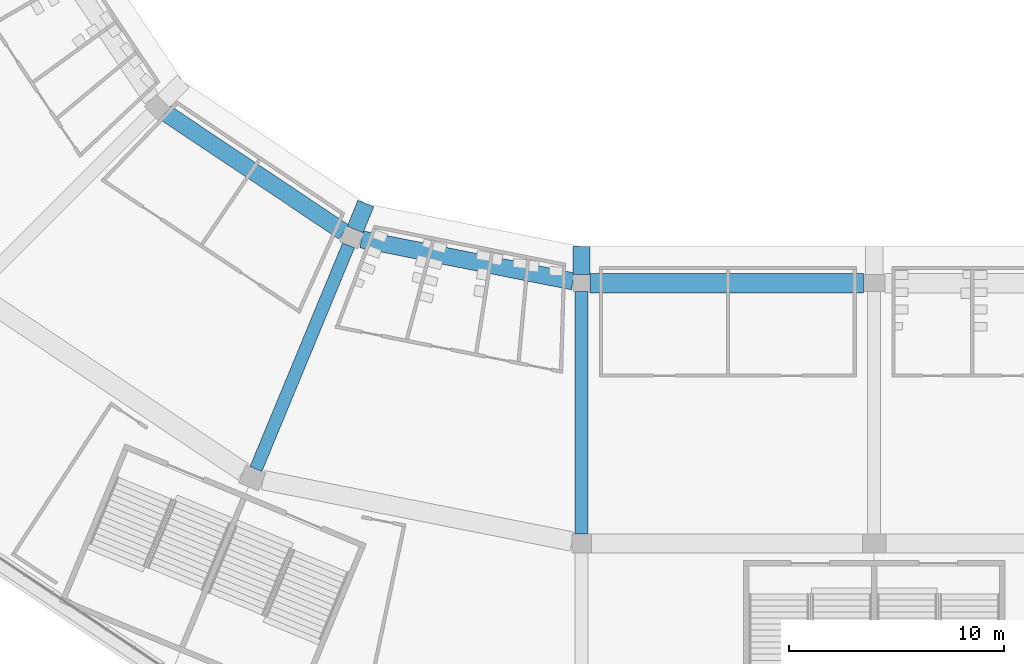
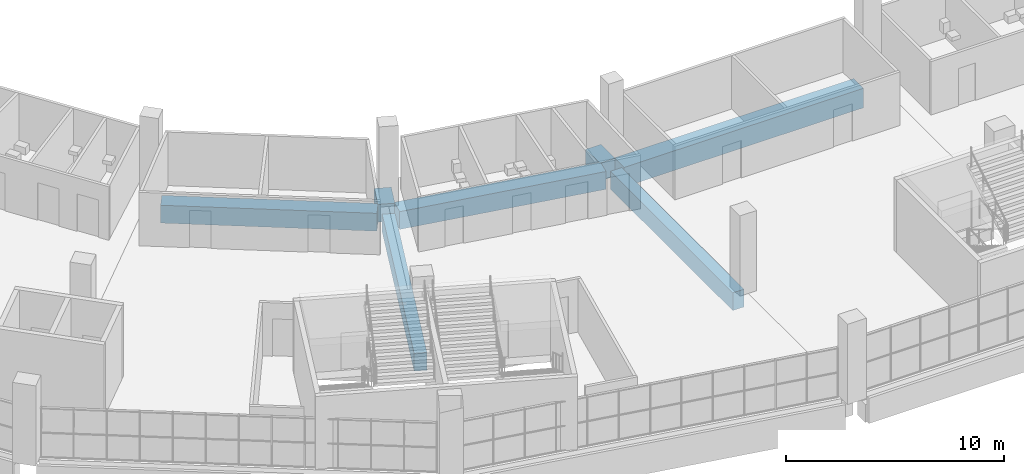
# One storey, part 7 of 199: 7 beams.
"""IFC4 building model written with IfcOpenShell, lengths in metres."""

from ifc_helpers import new_model, si_unit, direction, frame, origin, origin_2d, place, context, subcontext, project, spatial, rectangle, extrude, material, material_profile, profile_set, type_object, element, save


model = new_model("IFC4")

# Units and contexts
model_context = context("Model", 3, precision=1e-05, world=origin(), true_north=direction((0.0, 1.0)))
body_context = subcontext(model_context, "Body", "Model", "MODEL_VIEW")
ifc_project = project(units=[si_unit("LENGTHUNIT", "METRE"), si_unit("AREAUNIT", "SQUARE_METRE"), si_unit("VOLUMEUNIT", "CUBIC_METRE"), si_unit("PLANEANGLEUNIT", "RADIAN"), si_unit("MASSUNIT", "GRAM", prefix="KILO")], contexts=[model_context])

# Site, building, storey
site_placement = place(None, origin())
site = spatial("IfcSite", under=ifc_project, at=site_placement, CompositionType="ELEMENT")
building_placement = place(site_placement, origin())
building = spatial("IfcBuilding", under=site, at=building_placement, Name="Ogive Plaza Stadium", CompositionType="ELEMENT")
storey_placement = place(building_placement, frame((0.0, 0.0, 4.5)))
storey = spatial("IfcBuildingStorey", under=building, at=storey_placement, Name="L01", CompositionType="ELEMENT", Elevation=4.5)

# Beams
ifc_material_1 = material(Name="Concrete C40/50", Category="concrete")
ifc_material_profile_1 = material_profile(ifc_material_1, rectangle(XDim=0.60009765625, YDim=1.0, at=origin_2d()), Name="RC 600x1000")
ifc_profile_set_1 = profile_set([ifc_material_profile_1], Name="Concrete C40/50")
beam_type_1 = type_object("IfcBeamType", Name="RC radial beam 600x1000", PredefinedType="BEAM", material=ifc_profile_set_1)
beam_1_placement = place(storey_placement, frame((-34.0, -80.800048828125, -0.909912109375), z_axis=(0.0, -1.0, 0.0), x_axis=(1.0, 0.0, 0.0)))
element("IfcBeam", 1, at=beam_1_placement, inside=storey, type_object=beam_type_1, Name="Radial beam L01 R17 F3F4", PredefinedType="BEAM", context=body_context, shape_type="SweptSolid", body=[
    extrude(rectangle(XDim=0.60009765625, YDim=1.0, at=origin_2d()), origin(), (0.0, 0.0, 1.0), 11.25),
])
beam_2_placement = place(storey_placement, frame((-44.829833984375, -78.645751953125, -0.909912109375), z_axis=(-0.382677616283, -0.92388194159, 0.0), x_axis=(0.92388194159, -0.382677616283, 0.0)))
element("IfcBeam", 2, at=beam_2_placement, inside=storey, type_object=beam_type_1, Name="Radial beam L01 R18 F3F4", PredefinedType="BEAM", context=body_context, shape_type="SweptSolid", body=[
    extrude(rectangle(XDim=0.60009765625, YDim=1.0, at=origin_2d()), origin(), (0.0, 0.0, 1.0), 11.250244140625),
])
ifc_material_2 = material(Name="Concrete C40/50", Category="concrete")
ifc_material_profile_2 = material_profile(ifc_material_2, rectangle(XDim=0.800048828125, YDim=1.0, at=origin_2d()), Name="RC 800x1000")
ifc_profile_set_2 = profile_set([ifc_material_profile_2], Name="Concrete C40/50")
beam_type_2 = type_object("IfcBeamType", Name="RC radial beam 800x1000", PredefinedType="BEAM", material=ifc_profile_set_2)
for number, where, z_axis, x_axis, name in (
    (3, (-34.0, -78.699951171875, -0.909912109375), (0.0, -1.0, 0.0), (1.0, 0.0, 0.0), "Raker tail beam LT R17"),
    (4, (-44.0263671875, -76.70556640625, -0.909912109375), (-0.382534239946, -0.923941315923, 0.0), (0.923941315923, -0.382534239946, 0.0), "Raker tail beam LT R18"),
):
    element("IfcBeam", number, at=place(storey_placement, frame(where, z_axis=z_axis, x_axis=x_axis)), inside=storey, type_object=beam_type_2, Name=name, PredefinedType="BEAM", context=body_context, shape_type="SweptSolid", body=[
        extrude(rectangle(XDim=0.800048828125, YDim=1.0, at=origin_2d()), origin(), (0.0, 0.0, 1.0), 1.300048828125),
    ])
ifc_material_3 = material(Name="Concrete C40/50", Category="concrete")
ifc_material_profile_3 = material_profile(ifc_material_3, rectangle(XDim=0.800048828125, YDim=1.0, at=origin_2d()), Name="RC 800x1000")
ifc_profile_set_3 = profile_set([ifc_material_profile_3], Name="Concrete C40/50")
beam_type_3 = type_object("IfcBeamType", Name="RC ring beam 800x1000", PredefinedType="BEAM", material=ifc_profile_set_3)
beam_3_placement = place(storey_placement, frame((-34.39990234375, -80.320556640625, -0.909912109375), z_axis=(-0.980782584064, 0.195103876937, 0.0), x_axis=(-0.195103876937, -0.980782584064, 0.0)))
element("IfcBeam", 5, at=beam_3_placement, inside=storey, type_object=beam_type_3, Name="Ring beam F3 L01 B17", PredefinedType="BEAM", context=body_context, shape_type="SweptSolid", body=[
    extrude(rectangle(XDim=0.800048828125, YDim=1.0, at=origin_2d()), origin(), (0.0, 0.0, 1.0), 10.01953125),
])
beam_4_placement = place(storey_placement, frame((-45.058349609375, -78.021240234375, -0.909912109375), z_axis=(-0.831469573595, 0.555570290949, 0.0), x_axis=(-0.555570290949, -0.831469573595, 0.0)))
element("IfcBeam", 6, at=beam_4_placement, inside=storey, type_object=beam_type_3, Name="Ring beam F3 L01 B18", PredefinedType="BEAM", context=body_context, shape_type="SweptSolid", body=[
    extrude(rectangle(XDim=0.800048828125, YDim=1.0, at=origin_2d()), origin(), (0.0, 0.0, 1.0), 9.96826171875),
])
ifc_material_4 = material(Name="Concrete C40/50", Category="concrete")
ifc_material_profile_4 = material_profile(ifc_material_4, rectangle(XDim=0.89990234375, YDim=1.10009765625, at=origin_2d()), Name="RC 900x1100")
ifc_profile_set_4 = profile_set([ifc_material_profile_4], Name="Concrete C40/50")
beam_type_4 = type_object("IfcBeamType", Name="RC ring beam 900x1100", PredefinedType="BEAM", material=ifc_profile_set_4)
beam_5_placement = place(storey_placement, frame((-20.89990234375, -80.39990234375, -0.9599609375), z_axis=(-1.0, 0.0, 0.0), x_axis=(0.0, -1.0, 0.0)))
element("IfcBeam", 7, at=beam_5_placement, inside=storey, type_object=beam_type_4, Name="Ring beam F3 L01 B16", PredefinedType="BEAM", context=body_context, shape_type="SweptSolid", body=[
    extrude(rectangle(XDim=0.89990234375, YDim=1.10009765625, at=origin_2d()), origin(), (0.0, 0.0, 1.0), 12.7001953125),
])

save(model, "model.ifc")
